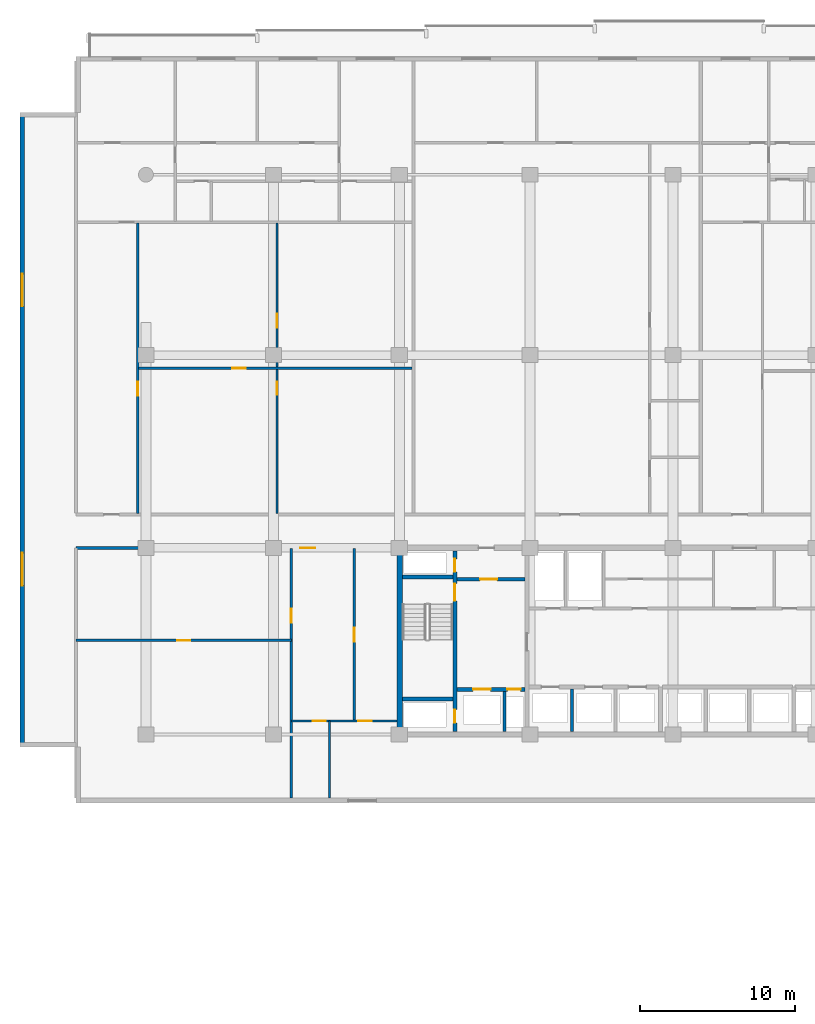
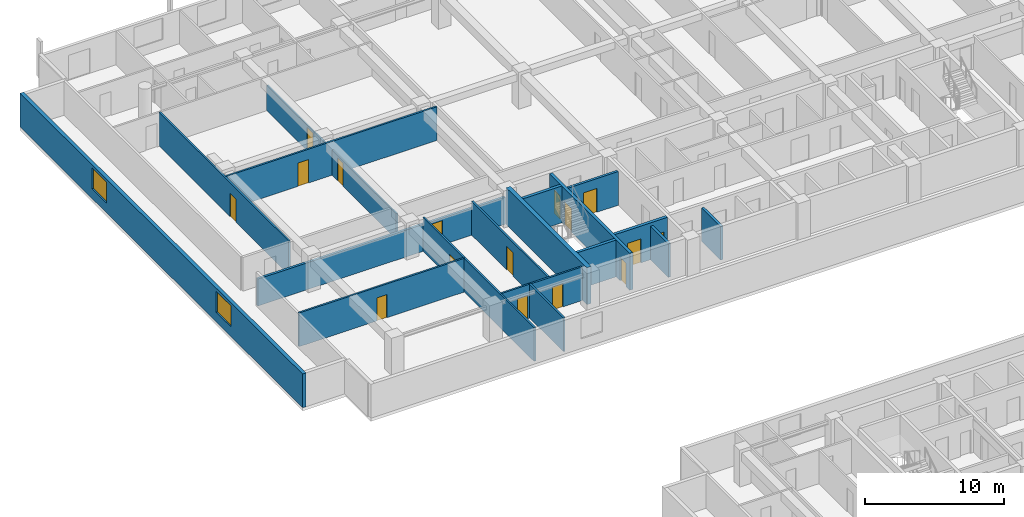
# One storey, part 10 of 23: 18 walls, 16 doors, 2 windows, 18 openings.
"""IFC4 building model written with IfcOpenShell, lengths in metres."""

from ifc_helpers import new_model, si_unit, direction, frame, frame_2d, origin, place, context, subcontext, project, spatial, rectangle, extrude, material, layer, layer_set, type_object, element, fill, save


model = new_model("IFC4")

# Units and contexts
model_context = context("Model", 3, precision=1e-05, world=origin(), true_north=direction((0.0, 1.0)))
body_context = subcontext(model_context, "Body", "Model", "MODEL_VIEW")
ifc_project = project(units=[si_unit("LENGTHUNIT", "METRE"), si_unit("AREAUNIT", "SQUARE_METRE"), si_unit("VOLUMEUNIT", "CUBIC_METRE"), si_unit("PLANEANGLEUNIT", "RADIAN"), si_unit("MASSUNIT", "GRAM", prefix="KILO")], contexts=[model_context])

# Site, building, storey
site_placement = place(None, origin())
site = spatial("IfcSite", under=ifc_project, at=site_placement, CompositionType="ELEMENT")
building_placement = place(site_placement, origin())
building = spatial("IfcBuilding", under=site, at=building_placement, Name="Korimba Cascade Residences", CompositionType="ELEMENT")
storey_placement = place(building_placement, frame((0.0, 0.0, 53.25)))
storey = spatial("IfcBuildingStorey", under=building, at=storey_placement, Name="L14", CompositionType="ELEMENT", Elevation=53.25)

# Wall, openings, windows
ifc_material_1 = material(Name="Precast concrete C40/50", Category="concrete")
ifc_layer_1 = layer(ifc_material_1, 0.300048828125)
ifc_layer_set_1 = layer_set([ifc_layer_1], Name="Precast concrete C40/50")
wall_type_1 = type_object("IfcWallType", Name="EW-STONE-300", PredefinedType="STANDARD", material=ifc_layer_set_1)
wall_1_placement = place(storey_placement, frame((51.85009765625, 95.199951171875, 0.0), z_axis=(0.0, 0.0, 1.0), x_axis=(0.0, -1.0, 0.0)))
wall_1 = element("IfcWall", 1, at=wall_1_placement, inside=storey, type_object=wall_type_1, Name="L14 T1 Perimeter Stone Wall E09", PredefinedType="STANDARD", context=body_context, shape_type="SweptSolid", body=[
    extrude(rectangle(XDim=40.800048828125, YDim=0.300048828125, at=frame_2d((20.39990234375, 0.0))), origin(), (0.0, 0.0, 1.0), 2.969970703125),
])
opening_1_placement = place(wall_1_placement, frame((10.3740234375, 0.0, 0.85009765625)))
opening_1 = element("IfcOpeningElement", 2, at=opening_1_placement, cuts=wall_1, Name="Opening W-03", PredefinedType="OPENING", context=body_context, shape_type="SweptSolid", body=[
    extrude(rectangle(XDim=2.10009765625, YDim=1.85009765625, at=frame_2d((1.050048828125, 0.925048828125))), frame((0.0, 0.16015625, 0.0), z_axis=(0.0, -1.0, 0.0), x_axis=(1.0, 0.0, 0.0)), (0.0, 0.0, 1.0), 0.320068359375),
])
opening_2_placement = place(wall_1_placement, frame((28.325927734375, 0.0, 0.85009765625)))
opening_2 = element("IfcOpeningElement", 3, at=opening_2_placement, cuts=wall_1, Name="Opening W-03", PredefinedType="OPENING", context=body_context, shape_type="SweptSolid", body=[
    extrude(rectangle(XDim=2.10009765625, YDim=1.85009765625, at=frame_2d((1.050048828125, 0.925048828125))), frame((0.0, 0.16015625, 0.0), z_axis=(0.0, -1.0, 0.0), x_axis=(1.0, 0.0, 0.0)), (0.0, 0.0, 1.0), 0.320068359375),
])
ifc_material_2 = material(Name="Double-Glazed Aluminium Window", Category="aluminium")
window_type = type_object("IfcWindowType", Name="WIN-CRN-2100", PartitioningType="DOUBLE_PANEL_HORIZONTAL", PredefinedType="WINDOW", material=ifc_material_2)
window_1_placement = place(opening_1_placement, origin())
window_1 = element("IfcWindow", 4, at=window_1_placement, inside=storey, type_object=window_type, Name="L14 T1 End View Window 9.1", OverallHeight=1.85009765625, OverallWidth=2.10009765625, PartitioningType="DOUBLE_PANEL_HORIZONTAL", PredefinedType="WINDOW", context=body_context, shape_type="SweptSolid", body=[
    extrude(rectangle(XDim=2.10009765625, YDim=1.85009765625, at=frame_2d((1.050048828125, 0.925048828125))), frame((0.0, 0.030029296875, 0.0), z_axis=(0.0, -1.0, 0.0), x_axis=(1.0, 0.0, 0.0)), (0.0, 0.0, 1.0), 0.06005859375),
])
fill(opening_1, window_1)
window_2_placement = place(opening_2_placement, origin())
window_2 = element("IfcWindow", 5, at=window_2_placement, inside=storey, type_object=window_type, Name="L14 T1 End View Window 9.2", OverallHeight=1.85009765625, OverallWidth=2.10009765625, PartitioningType="DOUBLE_PANEL_HORIZONTAL", PredefinedType="WINDOW", context=body_context, shape_type="SweptSolid", body=[
    extrude(rectangle(XDim=2.10009765625, YDim=1.85009765625, at=frame_2d((1.050048828125, 0.925048828125))), frame((0.0, 0.030029296875, 0.0), z_axis=(0.0, -1.0, 0.0), x_axis=(1.0, 0.0, 0.0)), (0.0, 0.0, 1.0), 0.06005859375),
])
fill(opening_2, window_2)

# Wall
ifc_material_3 = material(Name="Concrete C65/80", Category="concrete")
ifc_layer_2 = layer(ifc_material_3, 0.35009765625)
ifc_layer_set_2 = layer_set([ifc_layer_2], Name="Concrete C65/80")
wall_type_2 = type_object("IfcWallType", Name="WAL-CORE-350", PredefinedType="SHEAR", material=ifc_layer_set_2)
wall_2_placement = place(storey_placement, frame((76.125, 55.375, 0.0), z_axis=(0.0, 0.0, 1.0), x_axis=(0.0, 1.0, 0.0)))
element("IfcWall", 6, at=wall_2_placement, inside=storey, type_object=wall_type_2, Name="L14 Core Shear Wall CW-L14-T1-W", PredefinedType="SHEAR", context=body_context, shape_type="SweptSolid", body=[
    extrude(rectangle(XDim=11.64990234375, YDim=0.35009765625, at=frame_2d((5.824951171875, 0.0))), origin(), (0.0, 0.0, 1.0), 3.25),
])

# Wall, opening, door
ifc_layer_3 = layer(ifc_material_1, 0.199951171875)
ifc_layer_set_3 = layer_set([ifc_layer_3], Name="Precast concrete C40/50")
wall_type_3 = type_object("IfcWallType", Name="WAL-IT-200", PredefinedType="PARTITIONING", material=ifc_layer_set_3)
wall_3_placement = place(storey_placement, frame((55.300048828125, 67.199951171875, 0.0), z_axis=(0.0, 0.0, 1.0), x_axis=(1.0, 0.0, 0.0)))
wall_3 = element("IfcWall", 7, at=wall_3_placement, inside=storey, type_object=wall_type_3, Name="L14 Partition Wall WAL-L14-T1-FW-N", PredefinedType="PARTITIONING", context=body_context, shape_type="SweptSolid", body=[
    extrude(rectangle(XDim=20.64990234375, YDim=0.199951171875, at=frame_2d((10.324951171875, 0.0))), origin(), (0.0, 0.0, 1.0), 2.3701171875),
])
opening_3_placement = place(wall_3_placement, frame((14.426025390625, 0.0, 0.0)))
opening_3 = element("IfcOpeningElement", 8, at=opening_3_placement, cuts=wall_3, Name="Opening D-UN1", PredefinedType="OPENING", context=body_context, shape_type="SweptSolid", body=[
    extrude(rectangle(XDim=0.949951171875, YDim=2.14990234375, at=frame_2d((0.47509765625, 1.074951171875))), frame((0.0, 0.10986328125, 0.0), z_axis=(0.0, -1.0, 0.0), x_axis=(1.0, 0.0, 0.0)), (0.0, 0.0, 1.0), 0.219970703125),
])
ifc_material_4 = material(Name="Fire-Rated Hardwood Apartment Entrance Door", Category="wood")
door_type_1 = type_object("IfcDoorType", Name="DR-FD60-950", OperationType="NOTDEFINED", PredefinedType="DOOR", material=ifc_material_4)
door_1_placement = place(opening_3_placement, origin())
door_1 = element("IfcDoor", 9, at=door_1_placement, inside=storey, type_object=door_type_1, Name="L14-T1-FW Entrance Door", OperationType="SINGLE_SWING_RIGHT", OverallHeight=2.14990234375, OverallWidth=0.949951171875, PredefinedType="DOOR", context=body_context, shape_type="SweptSolid", body=[
    extrude(rectangle(XDim=0.949951171875, YDim=2.14990234375, at=frame_2d((0.47509765625, 1.074951171875))), frame((0.0, 0.02490234375, 0.0), z_axis=(0.0, -1.0, 0.0), x_axis=(1.0, 0.0, 0.0)), (0.0, 0.0, 1.0), 0.050048828125),
])
fill(opening_3, door_1)

ifc_material_5 = material(Name="Insulated Acoustic Stud Partition", Category="gypsum")
ifc_layer_4 = layer(ifc_material_5, 0.14990234375)
ifc_layer_set_4 = layer_set([ifc_layer_4], Name="Insulated Acoustic Stud Partition")
wall_type_4 = type_object("IfcWallType", Name="WAL-PART-150", PredefinedType="PARTITIONING", material=ifc_layer_set_4)
wall_4_placement = place(storey_placement, frame((55.300048828125, 61.25, 0.0), z_axis=(0.0, 0.0, 1.0), x_axis=(1.0, 0.0, 0.0)))
wall_4 = element("IfcWall", 10, at=wall_4_placement, inside=storey, type_object=wall_type_4, Name="L14 Partition Wall WAL-L14-T1-FW-STH", PredefinedType="PARTITIONING", context=body_context, shape_type="SweptSolid", body=[
    extrude(rectangle(XDim=13.849853515625, YDim=0.14990234375, at=frame_2d((6.9248046875, 0.0))), origin(), (0.0, 0.0, 1.0), 2.969970703125),
])
opening_4_placement = place(wall_4_placement, frame((6.5048828125, 0.0, 0.0)))
opening_4 = element("IfcOpeningElement", 11, at=opening_4_placement, cuts=wall_4, Name="Opening D-BT1", PredefinedType="OPENING", context=body_context, shape_type="SweptSolid", body=[
    extrude(rectangle(XDim=0.840087890625, YDim=2.0400390625, at=frame_2d((0.419921875, 1.02001953125))), frame((0.0, 0.0849609375, 0.0), z_axis=(0.0, -1.0, 0.0), x_axis=(1.0, 0.0, 0.0)), (0.0, 0.0, 1.0), 0.169921875),
])
ifc_material_6 = material(Name="Moisture-Resistant Bathroom Timber Door", Category="wood")
door_type_2 = type_object("IfcDoorType", Name="DR-INT-850", OperationType="NOTDEFINED", PredefinedType="DOOR", material=ifc_material_6)
door_2_placement = place(opening_4_placement, origin())
door_2 = element("IfcDoor", 12, at=door_2_placement, inside=storey, type_object=door_type_2, Name="L14-T1-FW Dressing Store Door", OperationType="SINGLE_SWING_LEFT", OverallHeight=2.0400390625, OverallWidth=0.840087890625, PredefinedType="DOOR", context=body_context, shape_type="SweptSolid", body=[
    extrude(rectangle(XDim=0.840087890625, YDim=2.0400390625, at=frame_2d((0.419921875, 1.02001953125))), frame((0.0, 0.02490234375, 0.0), z_axis=(0.0, -1.0, 0.0), x_axis=(1.0, 0.0, 0.0)), (0.0, 0.0, 1.0), 0.050048828125),
])
fill(opening_4, door_2)

wall_5_placement = place(storey_placement, frame((69.14990234375, 51.10009765625, 0.0), z_axis=(0.0, 0.0, 1.0), x_axis=(0.0, 1.0, 0.0)))
wall_5 = element("IfcWall", 13, at=wall_5_placement, inside=storey, type_object=wall_type_4, Name="L14 Partition Wall WAL-L14-T1-FW-STV", PredefinedType="PARTITIONING", context=body_context, shape_type="SweptSolid", body=[
    extrude(rectangle(XDim=16.0498046875, YDim=0.14990234375, at=frame_2d((8.02490234375, 0.0))), origin(), (0.0, 0.0, 1.0), 2.969970703125),
])
opening_5_placement = place(wall_5_placement, frame((11.300048828125, 0.0, 0.0)))
opening_5 = element("IfcOpeningElement", 14, at=opening_5_placement, cuts=wall_5, Name="Opening D-IN2", PredefinedType="OPENING", context=body_context, shape_type="SweptSolid", body=[
    extrude(rectangle(XDim=0.8798828125, YDim=2.06005859375, at=frame_2d((0.43994140625, 1.030029296875))), frame((0.0, 0.0849609375, 0.0), z_axis=(0.0, -1.0, 0.0), x_axis=(1.0, 0.0, 0.0)), (0.0, 0.0, 1.0), 0.169921875),
])
ifc_material_7 = material(Name="Acoustic Timber Bedroom Door", Category="wood")
door_type_3 = type_object("IfcDoorType", Name="DR-INT-880", OperationType="NOTDEFINED", PredefinedType="DOOR", material=ifc_material_7)
door_3_placement = place(opening_5_placement, origin())
door_3 = element("IfcDoor", 15, at=door_3_placement, inside=storey, type_object=door_type_3, Name="L14-T1-FW Study Door", OperationType="SINGLE_SWING_RIGHT", OverallHeight=2.06005859375, OverallWidth=0.8798828125, PredefinedType="DOOR", context=body_context, shape_type="SweptSolid", body=[
    extrude(rectangle(XDim=0.8798828125, YDim=2.06005859375, at=frame_2d((0.43994140625, 1.030029296875))), frame((0.0, 0.02490234375, 0.0), z_axis=(0.0, -1.0, 0.0), x_axis=(1.0, 0.0, 0.0)), (0.0, 0.0, 1.0), 0.050048828125),
])
fill(opening_5, door_3)

wall_6_placement = place(storey_placement, frame((73.199951171875, 56.070068359375, 0.0), z_axis=(0.0, 0.0, 1.0), x_axis=(0.0, 1.0, 0.0)))
wall_6 = element("IfcWall", 16, at=wall_6_placement, inside=storey, type_object=wall_type_4, Name="L14 Partition Wall WAL-L14-T1-FW-VN", PredefinedType="PARTITIONING", context=body_context, shape_type="SweptSolid", body=[
    extrude(rectangle(XDim=11.079833984375, YDim=0.14990234375, at=frame_2d((5.5400390625, 0.0))), origin(), (0.0, 0.0, 1.0), 2.969970703125),
])
opening_6_placement = place(wall_6_placement, frame((5.080078125, 0.0, 0.0)))
opening_6 = element("IfcOpeningElement", 17, at=opening_6_placement, cuts=wall_6, Name="Opening D-IN1", PredefinedType="OPENING", context=body_context, shape_type="SweptSolid", body=[
    extrude(rectangle(XDim=0.919921875, YDim=2.080078125, at=frame_2d((0.4599609375, 1.0400390625))), frame((0.0, 0.0849609375, 0.0), z_axis=(0.0, -1.0, 0.0), x_axis=(1.0, 0.0, 0.0)), (0.0, 0.0, 1.0), 0.169921875),
])
ifc_material_8 = material(Name="Acoustic Timber Living Door", Category="wood")
door_type_4 = type_object("IfcDoorType", Name="DR-INT-920", OperationType="NOTDEFINED", PredefinedType="DOOR", material=ifc_material_8)
door_4_placement = place(opening_6_placement, origin())
door_4 = element("IfcDoor", 18, at=door_4_placement, inside=storey, type_object=door_type_4, Name="L14-T1-FW Living Door", OperationType="SINGLE_SWING_LEFT", OverallHeight=2.080078125, OverallWidth=0.919921875, PredefinedType="DOOR", context=body_context, shape_type="SweptSolid", body=[
    extrude(rectangle(XDim=0.919921875, YDim=2.080078125, at=frame_2d((0.4599609375, 1.0400390625))), frame((0.0, 0.02490234375, 0.0), z_axis=(0.0, -1.0, 0.0), x_axis=(1.0, 0.0, 0.0)), (0.0, 0.0, 1.0), 0.050048828125),
])
fill(opening_6, door_4)

# Wall
wall_7_placement = place(storey_placement, frame((71.60009765625, 51.10009765625, 0.0), z_axis=(0.0, 0.0, 1.0), x_axis=(0.0, 1.0, 0.0)))
element("IfcWall", 19, at=wall_7_placement, inside=storey, type_object=wall_type_4, Name="L14 Partition Wall WAL-L14-T1-FW-VS", PredefinedType="PARTITIONING", context=body_context, shape_type="SweptSolid", body=[
    extrude(rectangle(XDim=4.969970703125, YDim=0.14990234375, at=frame_2d((2.48486328125, 0.0))), origin(), (0.0, 0.0, 1.0), 2.969970703125),
])

# Wall, openings, doors
wall_8_placement = place(storey_placement, frame((69.169921875, 56.070068359375, 0.0), z_axis=(0.0, 0.0, 1.0), x_axis=(1.0, 0.0, 0.0)))
wall_8 = element("IfcWall", 20, at=wall_8_placement, inside=storey, type_object=wall_type_4, Name="L14 Partition Wall WAL-L14-T1-FW-H", PredefinedType="PARTITIONING", context=body_context, shape_type="SweptSolid", body=[
    extrude(rectangle(XDim=6.760009765625, YDim=0.14990234375, at=frame_2d((3.3798828125, 0.0))), origin(), (0.0, 0.0, 1.0), 2.969970703125),
])
opening_7_placement = place(wall_8_placement, frame((1.3623046875, 0.0, 0.0)))
opening_7 = element("IfcOpeningElement", 21, at=opening_7_placement, cuts=wall_8, Name="Opening D-BT1", PredefinedType="OPENING", context=body_context, shape_type="SweptSolid", body=[
    extrude(rectangle(XDim=0.840087890625, YDim=2.0400390625, at=frame_2d((0.419921875, 1.02001953125))), frame((0.0, 0.0849609375, 0.0), z_axis=(0.0, -1.0, 0.0), x_axis=(1.0, 0.0, 0.0)), (0.0, 0.0, 1.0), 0.169921875),
])
opening_8_placement = place(wall_8_placement, frame((4.276611328125, 0.0, 0.0)))
opening_8 = element("IfcOpeningElement", 22, at=opening_8_placement, cuts=wall_8, Name="Opening D-IN2", PredefinedType="OPENING", context=body_context, shape_type="SweptSolid", body=[
    extrude(rectangle(XDim=0.8798828125, YDim=2.06005859375, at=frame_2d((0.43994140625, 1.030029296875))), frame((0.0, 0.0849609375, 0.0), z_axis=(0.0, -1.0, 0.0), x_axis=(1.0, 0.0, 0.0)), (0.0, 0.0, 1.0), 0.169921875),
])
door_5_placement = place(opening_7_placement, origin())
door_5 = element("IfcDoor", 23, at=door_5_placement, inside=storey, type_object=door_type_2, Name="L14-T1-FW Bathroom Door", OperationType="SINGLE_SWING_RIGHT", OverallHeight=2.0400390625, OverallWidth=0.840087890625, PredefinedType="DOOR", context=body_context, shape_type="SweptSolid", body=[
    extrude(rectangle(XDim=0.840087890625, YDim=2.0400390625, at=frame_2d((0.419921875, 1.02001953125))), frame((0.0, 0.02490234375, 0.0), z_axis=(0.0, -1.0, 0.0), x_axis=(1.0, 0.0, 0.0)), (0.0, 0.0, 1.0), 0.050048828125),
])
fill(opening_7, door_5)
door_6_placement = place(opening_8_placement, origin())
door_6 = element("IfcDoor", 24, at=door_6_placement, inside=storey, type_object=door_type_3, Name="L14-T1-FW Bedroom Door", OperationType="SINGLE_SWING_LEFT", OverallHeight=2.06005859375, OverallWidth=0.8798828125, PredefinedType="DOOR", context=body_context, shape_type="SweptSolid", body=[
    extrude(rectangle(XDim=0.8798828125, YDim=2.06005859375, at=frame_2d((0.43994140625, 1.030029296875))), frame((0.0, 0.02490234375, 0.0), z_axis=(0.0, -1.0, 0.0), x_axis=(1.0, 0.0, 0.0)), (0.0, 0.0, 1.0), 0.050048828125),
])
fill(opening_8, door_6)

wall_9_placement = place(storey_placement, frame((68.226806640625, 69.409912109375, 0.0), z_axis=(0.0, 0.0, 1.0), x_axis=(0.0, 1.0, 0.0)))
wall_9 = element("IfcWall", 25, at=wall_9_placement, inside=storey, type_object=wall_type_4, Name="L14 Partition Wall WAL-L14-T1-U01-FMV", PredefinedType="PARTITIONING", context=body_context, shape_type="SweptSolid", body=[
    extrude(rectangle(XDim=18.7001953125, YDim=0.14990234375, at=frame_2d((9.35009765625, 0.0))), origin(), (0.0, 0.0, 1.0), 2.219970703125),
])
opening_9_placement = place(wall_9_placement, frame((7.627197265625, 0.0, 0.0)))
opening_9 = element("IfcOpeningElement", 26, at=opening_9_placement, cuts=wall_9, Name="Opening D-BT1", PredefinedType="OPENING", context=body_context, shape_type="SweptSolid", body=[
    extrude(rectangle(XDim=0.840087890625, YDim=2.0400390625, at=frame_2d((0.419921875, 1.02001953125))), frame((0.0, 0.0849609375, 0.0), z_axis=(0.0, -1.0, 0.0), x_axis=(1.0, 0.0, 0.0)), (0.0, 0.0, 1.0), 0.169921875),
])
opening_10_placement = place(wall_9_placement, frame((11.9609375, 0.0, 0.0)))
opening_10 = element("IfcOpeningElement", 27, at=opening_10_placement, cuts=wall_9, Name="Opening D-IN2", PredefinedType="OPENING", context=body_context, shape_type="SweptSolid", body=[
    extrude(rectangle(XDim=0.8798828125, YDim=2.06005859375, at=frame_2d((0.43994140625, 1.030029296875))), frame((0.0, 0.0849609375, 0.0), z_axis=(0.0, -1.0, 0.0), x_axis=(1.0, 0.0, 0.0)), (0.0, 0.0, 1.0), 0.169921875),
])
door_7_placement = place(opening_9_placement, origin())
door_7 = element("IfcDoor", 28, at=door_7_placement, inside=storey, type_object=door_type_2, Name="L14-T1-U01 Wardrobe Door", OperationType="SINGLE_SWING_LEFT", OverallHeight=2.0400390625, OverallWidth=0.840087890625, PredefinedType="DOOR", context=body_context, shape_type="SweptSolid", body=[
    extrude(rectangle(XDim=0.840087890625, YDim=2.0400390625, at=frame_2d((0.419921875, 1.02001953125))), frame((0.0, 0.02490234375, 0.0), z_axis=(0.0, -1.0, 0.0), x_axis=(1.0, 0.0, 0.0)), (0.0, 0.0, 1.0), 0.050048828125),
])
fill(opening_9, door_7)
door_8_placement = place(opening_10_placement, origin())
door_8 = element("IfcDoor", 29, at=door_8_placement, inside=storey, type_object=door_type_3, Name="L14-T1-U01 Music Lounge Door", OperationType="SINGLE_SWING_RIGHT", OverallHeight=2.06005859375, OverallWidth=0.8798828125, PredefinedType="DOOR", context=body_context, shape_type="SweptSolid", body=[
    extrude(rectangle(XDim=0.8798828125, YDim=2.06005859375, at=frame_2d((0.43994140625, 1.030029296875))), frame((0.0, 0.02490234375, 0.0), z_axis=(0.0, -1.0, 0.0), x_axis=(1.0, 0.0, 0.0)), (0.0, 0.0, 1.0), 0.050048828125),
])
fill(opening_10, door_8)

# Wall, opening, door
wall_10_placement = place(storey_placement, frame((59.330078125, 78.760009765625, 0.0), z_axis=(0.0, 0.0, 1.0), x_axis=(1.0, 0.0, 0.0)))
wall_10 = element("IfcWall", 30, at=wall_10_placement, inside=storey, type_object=wall_type_4, Name="L14 Partition Wall WAL-L14-T1-U01-FMH", PredefinedType="PARTITIONING", context=body_context, shape_type="SweptSolid", body=[
    extrude(rectangle(XDim=17.593505859375, YDim=0.14990234375, at=frame_2d((8.796875, 0.0))), origin(), (0.0, 0.0, 1.0), 2.969970703125),
])
opening_11_placement = place(wall_10_placement, frame((6.009521484375, 0.0, 0.0)))
opening_11 = element("IfcOpeningElement", 31, at=opening_11_placement, cuts=wall_10, Name="Opening D-IN2", PredefinedType="OPENING", context=body_context, shape_type="SweptSolid", body=[
    extrude(rectangle(XDim=0.8798828125, YDim=2.06005859375, at=frame_2d((0.43994140625, 1.030029296875))), frame((0.0, 0.0849609375, 0.0), z_axis=(0.0, -1.0, 0.0), x_axis=(1.0, 0.0, 0.0)), (0.0, 0.0, 1.0), 0.169921875),
])
door_9_placement = place(opening_11_placement, origin())
door_9 = element("IfcDoor", 32, at=door_9_placement, inside=storey, type_object=door_type_3, Name="L14-T1-U01 Library Salon Door", OperationType="SINGLE_SWING_LEFT", OverallHeight=2.06005859375, OverallWidth=0.8798828125, PredefinedType="DOOR", context=body_context, shape_type="SweptSolid", body=[
    extrude(rectangle(XDim=0.8798828125, YDim=2.06005859375, at=frame_2d((0.43994140625, 1.030029296875))), frame((0.0, 0.02490234375, 0.0), z_axis=(0.0, -1.0, 0.0), x_axis=(1.0, 0.0, 0.0)), (0.0, 0.0, 1.0), 0.050048828125),
])
fill(opening_11, door_9)

wall_11_placement = place(storey_placement, frame((59.27001953125, 69.409912109375, 0.0), z_axis=(0.0, 0.0, 1.0), x_axis=(0.0, 1.0, 0.0)))
wall_11 = element("IfcWall", 33, at=wall_11_placement, inside=storey, type_object=wall_type_4, Name="L14 Partition Wall WAL-L14-T1-U01-FV", PredefinedType="PARTITIONING", context=body_context, shape_type="SweptSolid", body=[
    extrude(rectangle(XDim=18.7001953125, YDim=0.14990234375, at=frame_2d((9.35009765625, 0.0))), origin(), (0.0, 0.0, 1.0), 2.969970703125),
])
opening_12_placement = place(wall_11_placement, frame((7.59033203125, 0.0, 0.0)))
opening_12 = element("IfcOpeningElement", 34, at=opening_12_placement, cuts=wall_11, Name="Opening D-IN2", PredefinedType="OPENING", context=body_context, shape_type="SweptSolid", body=[
    extrude(rectangle(XDim=0.8798828125, YDim=2.06005859375, at=frame_2d((0.43994140625, 1.030029296875))), frame((0.0, 0.0849609375, 0.0), z_axis=(0.0, -1.0, 0.0), x_axis=(1.0, 0.0, 0.0)), (0.0, 0.0, 1.0), 0.169921875),
])
door_10_placement = place(opening_12_placement, origin())
door_10 = element("IfcDoor", 35, at=door_10_placement, inside=storey, type_object=door_type_3, Name="L14-T1-U01 Media Lounge Door", OperationType="SINGLE_SWING_RIGHT", OverallHeight=2.06005859375, OverallWidth=0.8798828125, PredefinedType="DOOR", context=body_context, shape_type="SweptSolid", body=[
    extrude(rectangle(XDim=0.8798828125, YDim=2.06005859375, at=frame_2d((0.43994140625, 1.030029296875))), frame((0.0, 0.02490234375, 0.0), z_axis=(0.0, -1.0, 0.0), x_axis=(1.0, 0.0, 0.0)), (0.0, 0.0, 1.0), 0.050048828125),
])
fill(opening_12, door_10)

# Wall
ifc_material_9 = material(Name="Concrete C40/50", Category="concrete")
ifc_layer_5 = layer(ifc_material_9, 0.199951171875)
ifc_layer_set_5 = layer_set([ifc_layer_5], Name="Concrete C40/50")
wall_type_5 = type_object("IfcWallType", Name="WAL-PART-200", PredefinedType="PARTITIONING", material=ifc_layer_set_5)
wall_12_placement = place(storey_placement, frame((82.85009765625, 55.39990234375, 0.0), z_axis=(0.0, 0.0, 1.0), x_axis=(0.0, 1.0, 0.0)))
element("IfcWall", 36, at=wall_12_placement, inside=storey, type_object=wall_type_5, Name="L14 Partition Wall CW-L14-T1-FFLDIV", PredefinedType="PARTITIONING", context=body_context, shape_type="SweptSolid", body=[
    extrude(rectangle(XDim=2.56005859375, YDim=0.199951171875, at=frame_2d((1.280029296875, 0.0))), origin(), (0.0, 0.0, 1.0), 2.969970703125),
])

# Wall, opening, door
wall_13_placement = place(storey_placement, frame((79.7900390625, 65.179931640625, 0.0), z_axis=(0.0, 0.0, 1.0), x_axis=(1.0, 0.0, 0.0)))
wall_13 = element("IfcWall", 37, at=wall_13_placement, inside=storey, type_object=wall_type_5, Name="L14 Partition Wall CW-L14-T1-FFLN", PredefinedType="PARTITIONING", context=body_context, shape_type="SweptSolid", body=[
    extrude(rectangle(XDim=4.389892578125, YDim=0.199951171875, at=frame_2d((2.19482421875, 0.0))), origin(), (0.0, 0.0, 1.0), 2.969970703125),
])
opening_13_placement = place(wall_13_placement, frame((1.5, 0.0, 0.0)))
opening_13 = element("IfcOpeningElement", 38, at=opening_13_placement, cuts=wall_13, Name="Opening D-FD1", PredefinedType="OPENING", context=body_context, shape_type="SweptSolid", body=[
    extrude(rectangle(XDim=1.10009765625, YDim=2.10009765625, at=frame_2d((0.550048828125, 1.050048828125))), frame((0.0, 0.10986328125, 0.0), z_axis=(0.0, -1.0, 0.0), x_axis=(1.0, 0.0, 0.0)), (0.0, 0.0, 1.0), 0.219970703125),
])
ifc_material_10 = material(Name="Fire-Rated Steel Core Door", Category="steel")
door_type_5 = type_object("IfcDoorType", Name="DR-FD120-1100", OperationType="NOTDEFINED", PredefinedType="DOOR", material=ifc_material_10)
door_11_placement = place(opening_13_placement, origin())
door_11 = element("IfcDoor", 39, at=door_11_placement, inside=storey, type_object=door_type_5, Name="L14 West Firefighting Lobby Door", OperationType="SINGLE_SWING_RIGHT", OverallHeight=2.10009765625, OverallWidth=1.10009765625, PredefinedType="DOOR", context=body_context, shape_type="SweptSolid", body=[
    extrude(rectangle(XDim=1.10009765625, YDim=2.10009765625, at=frame_2d((0.550048828125, 1.050048828125))), frame((0.0, 0.02490234375, 0.0), z_axis=(0.0, -1.0, 0.0), x_axis=(1.0, 0.0, 0.0)), (0.0, 0.0, 1.0), 0.050048828125),
])
fill(opening_13, door_11)

# Wall
wall_14_placement = place(storey_placement, frame((87.199951171875, 55.39990234375, 0.0), z_axis=(0.0, 0.0, 1.0), x_axis=(0.0, 1.0, 0.0)))
element("IfcWall", 40, at=wall_14_placement, inside=storey, type_object=wall_type_5, Name="L14 Partition Wall CW-L14-T1-B1D1", PredefinedType="PARTITIONING", context=body_context, shape_type="SweptSolid", body=[
    extrude(rectangle(XDim=2.72021484375, YDim=0.199951171875, at=frame_2d((1.360107421875, 0.0))), origin(), (0.0, 0.0, 1.0), 2.969970703125),
])

# Wall, openings, doors
ifc_material_11 = material(Name="Concrete C50/60", Category="concrete")
ifc_layer_6 = layer(ifc_material_11, 0.25)
ifc_layer_set_6 = layer_set([ifc_layer_6], Name="Concrete C50/60")
wall_type_6 = type_object("IfcWallType", Name="WAL-SHAFT-250", PredefinedType="SHEAR", material=ifc_layer_set_6)
wall_15_placement = place(storey_placement, frame((79.6650390625, 55.39990234375, 0.0), z_axis=(0.0, 0.0, 1.0), x_axis=(0.0, 1.0, 0.0)))
wall_15 = element("IfcWall", 41, at=wall_15_placement, inside=storey, type_object=wall_type_6, Name="L14 Core Shear Wall CW-L14-T1-STW1E", PredefinedType="SHEAR", context=body_context, shape_type="SweptSolid", body=[
    extrude(rectangle(XDim=11.60009765625, YDim=0.25, at=frame_2d((5.800048828125, 0.0))), origin(), (0.0, 0.0, 1.0), 3.25),
])
opening_14_placement = place(wall_15_placement, frame((0.550048828125, 0.0, 0.0)))
opening_14 = element("IfcOpeningElement", 42, at=opening_14_placement, cuts=wall_15, Name="Opening D-RS1", PredefinedType="OPENING", context=body_context, shape_type="SweptSolid", body=[
    extrude(rectangle(XDim=0.85009765625, YDim=2.050048828125, at=frame_2d((0.425048828125, 1.02490234375))), frame((0.0, 0.135009765625, 0.0), z_axis=(0.0, -1.0, 0.0), x_axis=(1.0, 0.0, 0.0)), (0.0, 0.0, 1.0), 0.27001953125),
])
opening_15_placement = place(wall_15_placement, frame((8.39990234375, 0.0, 0.0)))
opening_15 = element("IfcOpeningElement", 43, at=opening_15_placement, cuts=wall_15, Name="Opening D-FD1", PredefinedType="OPENING", context=body_context, shape_type="SweptSolid", body=[
    extrude(rectangle(XDim=1.10009765625, YDim=2.10009765625, at=frame_2d((0.550048828125, 1.050048828125))), frame((0.0, 0.135009765625, 0.0), z_axis=(0.0, -1.0, 0.0), x_axis=(1.0, 0.0, 0.0)), (0.0, 0.0, 1.0), 0.27001953125),
])
opening_16_placement = place(wall_15_placement, frame((10.25, 0.0, 0.0)))
opening_16 = element("IfcOpeningElement", 44, at=opening_16_placement, cuts=wall_15, Name="Opening D-RS1", PredefinedType="OPENING", context=body_context, shape_type="SweptSolid", body=[
    extrude(rectangle(XDim=0.85009765625, YDim=2.050048828125, at=frame_2d((0.425048828125, 1.02490234375))), frame((0.0, 0.135009765625, 0.0), z_axis=(0.0, -1.0, 0.0), x_axis=(1.0, 0.0, 0.0)), (0.0, 0.0, 1.0), 0.27001953125),
])
door_12_placement = place(opening_15_placement, origin())
door_12 = element("IfcDoor", 45, at=door_12_placement, inside=storey, type_object=door_type_5, Name="L14 Fire Stair ST-W1 Door", OperationType="SINGLE_SWING_LEFT", OverallHeight=2.10009765625, OverallWidth=1.10009765625, PredefinedType="DOOR", context=body_context, shape_type="SweptSolid", body=[
    extrude(rectangle(XDim=1.10009765625, YDim=2.10009765625, at=frame_2d((0.550048828125, 1.050048828125))), frame((0.0, 0.02490234375, 0.0), z_axis=(0.0, -1.0, 0.0), x_axis=(1.0, 0.0, 0.0)), (0.0, 0.0, 1.0), 0.050048828125),
])
fill(opening_15, door_12)
ifc_material_12 = material(Name="Fire-Rated Steel Riser Access Door", Category="steel")
door_type_6 = type_object("IfcDoorType", Name="DR-FD60-850", OperationType="NOTDEFINED", PredefinedType="DOOR", material=ifc_material_12)
door_13_placement = place(opening_14_placement, origin())
door_13 = element("IfcDoor", 46, at=door_13_placement, inside=storey, type_object=door_type_6, Name="L14 Smoke Riser Access Door", OperationType="SINGLE_SWING_RIGHT", OverallHeight=2.050048828125, OverallWidth=0.85009765625, PredefinedType="DOOR", context=body_context, shape_type="SweptSolid", body=[
    extrude(rectangle(XDim=0.85009765625, YDim=2.050048828125, at=frame_2d((0.425048828125, 1.02490234375))), frame((0.0, 0.02490234375, 0.0), z_axis=(0.0, -1.0, 0.0), x_axis=(1.0, 0.0, 0.0)), (0.0, 0.0, 1.0), 0.050048828125),
])
fill(opening_14, door_13)
door_14_placement = place(opening_16_placement, origin())
door_14 = element("IfcDoor", 47, at=door_14_placement, inside=storey, type_object=door_type_6, Name="L14 Hydrant Riser Access Door", OperationType="SINGLE_SWING_RIGHT", OverallHeight=2.050048828125, OverallWidth=0.85009765625, PredefinedType="DOOR", context=body_context, shape_type="SweptSolid", body=[
    extrude(rectangle(XDim=0.85009765625, YDim=2.050048828125, at=frame_2d((0.425048828125, 1.02490234375))), frame((0.0, 0.02490234375, 0.0), z_axis=(0.0, -1.0, 0.0), x_axis=(1.0, 0.0, 0.0)), (0.0, 0.0, 1.0), 0.050048828125),
])
fill(opening_16, door_14)

# Walls
for number, where, z_axis, x_axis, name in (
    (48, (76.300048828125, 57.47509765625, 0.0), (0.0, 0.0, 1.0), (1.0, 0.0, 0.0), "L14 Core Shear Wall CW-L14-T1-STW1S"),
    (49, (76.300048828125, 65.324951171875, 0.0), (0.0, 0.0, 1.0), (1.0, 0.0, 0.0), "L14 Core Shear Wall CW-L14-T1-STW1N"),
):
    element("IfcWall", number, at=place(storey_placement, frame(where, z_axis=z_axis, x_axis=x_axis)), inside=storey, type_object=wall_type_6, Name=name, PredefinedType="SHEAR", context=body_context, shape_type="SweptSolid", body=[
        extrude(rectangle(XDim=3.239990234375, YDim=0.25, at=frame_2d((1.6201171875, 0.0))), origin(), (0.0, 0.0, 1.0), 3.25),
    ])

# Wall, openings, doors
wall_16_placement = place(storey_placement, frame((79.7900390625, 58.10009765625, 0.0), z_axis=(0.0, 0.0, 1.0), x_axis=(1.0, 0.0, 0.0)))
wall_16 = element("IfcWall", 50, at=wall_16_placement, inside=storey, type_object=wall_type_6, Name="L14 Core Shear Wall CW-L14-T1-FFLS", PredefinedType="SHEAR", context=body_context, shape_type="SweptSolid", body=[
    extrude(rectangle(XDim=4.389892578125, YDim=0.25, at=frame_2d((2.19482421875, 0.0))), origin(), (0.0, 0.0, 1.0), 3.25),
])
opening_17_placement = place(wall_16_placement, frame((1.050048828125, 0.0, 0.0)))
opening_17 = element("IfcOpeningElement", 51, at=opening_17_placement, cuts=wall_16, Name="Opening LD-01", PredefinedType="OPENING", context=body_context, shape_type="SweptSolid", body=[
    extrude(rectangle(XDim=1.1201171875, YDim=2.1201171875, at=frame_2d((0.56005859375, 1.06005859375))), frame((0.0, 0.135009765625, 0.0), z_axis=(0.0, -1.0, 0.0), x_axis=(1.0, 0.0, 0.0)), (0.0, 0.0, 1.0), 0.27001953125),
])
opening_18_placement = place(wall_16_placement, frame((3.260009765625, 0.0, 0.0)))
opening_18 = element("IfcOpeningElement", 52, at=opening_18_placement, cuts=wall_16, Name="Opening D-RS1", PredefinedType="OPENING", context=body_context, shape_type="SweptSolid", body=[
    extrude(rectangle(XDim=0.85009765625, YDim=2.050048828125, at=frame_2d((0.425048828125, 1.02490234375))), frame((0.0, 0.135009765625, 0.0), z_axis=(0.0, -1.0, 0.0), x_axis=(1.0, 0.0, 0.0)), (0.0, 0.0, 1.0), 0.27001953125),
])
door_15_placement = place(opening_18_placement, origin())
door_15 = element("IfcDoor", 53, at=door_15_placement, inside=storey, type_object=door_type_6, Name="L14 Pressurisation Riser Door", OperationType="SINGLE_SWING_LEFT", OverallHeight=2.050048828125, OverallWidth=0.85009765625, PredefinedType="DOOR", context=body_context, shape_type="SweptSolid", body=[
    extrude(rectangle(XDim=0.85009765625, YDim=2.050048828125, at=frame_2d((0.425048828125, 1.02490234375))), frame((0.0, 0.02490234375, 0.0), z_axis=(0.0, -1.0, 0.0), x_axis=(1.0, 0.0, 0.0)), (0.0, 0.0, 1.0), 0.050048828125),
])
fill(opening_18, door_15)
ifc_material_13 = material(Name="Stainless Steel Lift Landing Sliding Door", Category="steel")
door_type_7 = type_object("IfcDoorType", Name="DR-LIFT-1100", OperationType="NOTDEFINED", PredefinedType="DOOR", material=ifc_material_13)
door_16_placement = place(opening_17_placement, origin())
door_16 = element("IfcDoor", 54, at=door_16_placement, inside=storey, type_object=door_type_7, Name="L14 Firefighting Lift Landing Door FFL-W1", OperationType="SLIDING_TO_LEFT", OverallHeight=2.1201171875, OverallWidth=1.1201171875, PredefinedType="DOOR", context=body_context, shape_type="SweptSolid", body=[
    extrude(rectangle(XDim=1.1201171875, YDim=2.1201171875, at=frame_2d((0.56005859375, 1.06005859375))), frame((0.0, 0.02490234375, 0.0), z_axis=(0.0, -1.0, 0.0), x_axis=(1.0, 0.0, 0.0)), (0.0, 0.0, 1.0), 0.050048828125),
])
fill(opening_17, door_16)

save(model, "model.ifc")
